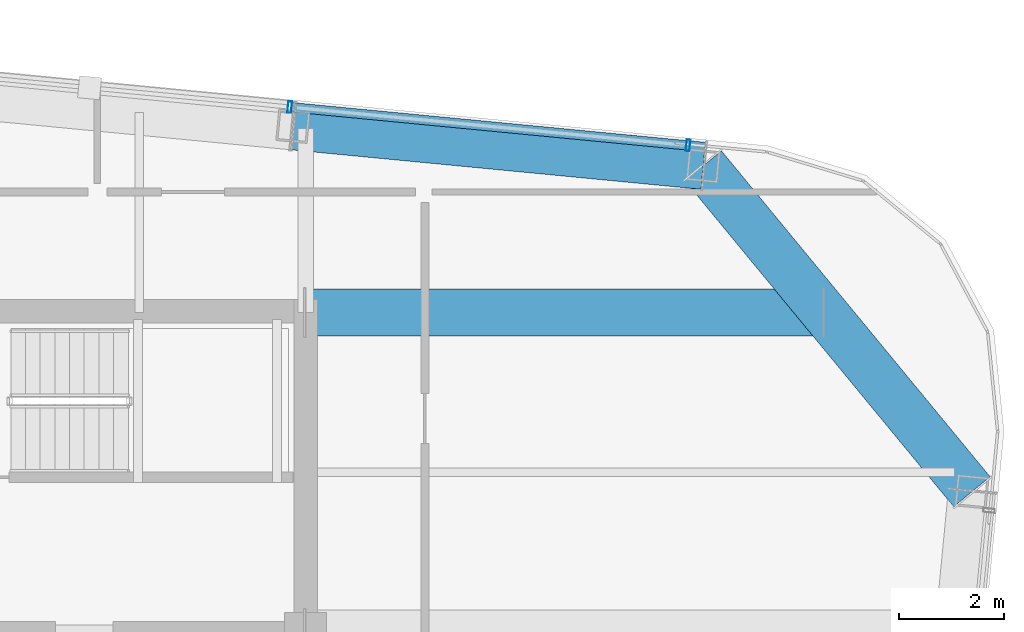
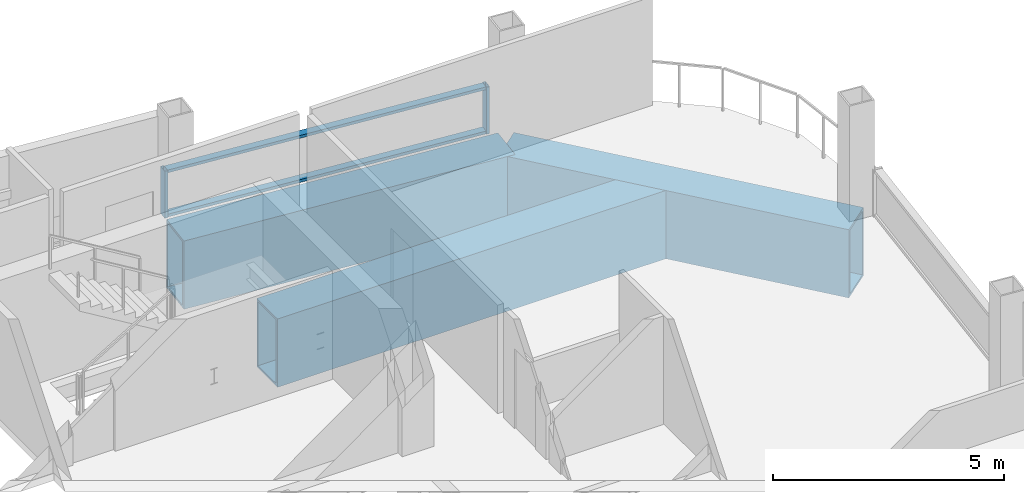
# One storey, part 14 of 21: 4 members, 3 beams, 1 element without a shape of its own.
"""IFC4 building model written with IfcOpenShell, lengths in metres."""

import ifcopenshell
import ifcopenshell.guid

model = None  # the IFC model being written
_history = None  # IfcOwnerHistory: only IFC2X3 demands one
_inside = {}  # id of a spatial element -> (the spatial element, [elements in it])
_under = {}  # id of a project, library or spatial element -> (it, [spatial elements below it])
_declared = {}  # id of a project -> (the project, [libraries it declares])
_typed = {}  # id of a type object -> (the type object, [elements of that type])
_made_of = {}  # id of a material, layer set ... -> (it, [elements and type objects made of it])


def new_model(schema):
    """Start an empty IFC model of exactly this schema.

    Asked for "IFC4X3", IfcOpenShell would pick the latest addendum, in which some entities
    have other attributes; the version numbers below select the first issue.
    IFC2X3 requires an IfcOwnerHistory on every rooted entity: one is made here for all.
    """
    global model, _history
    if schema == "IFC4X3":
        model = ifcopenshell.file(schema_version=(4, 3, 0, 0))
    else:
        model = ifcopenshell.file(schema=schema)
    _inside.clear()
    _under.clear()
    _declared.clear()
    _typed.clear()
    _made_of.clear()
    _history = None
    if model.schema == "IFC2X3":
        org = make("IfcOrganization", Name="unknown")
        user = make(
            "IfcPersonAndOrganization",
            ThePerson=make("IfcPerson", FamilyName="unknown"),
            TheOrganization=org,
        )
        app = make(
            "IfcApplication",
            ApplicationDeveloper=org,
            Version="unknown",
            ApplicationFullName="unknown",
            ApplicationIdentifier="unknown",
        )
        _history = make(
            "IfcOwnerHistory",
            OwningUser=user,
            OwningApplication=app,
            ChangeAction="ADDED",
            CreationDate=0,
        )
    return model


def make(cls, **values):
    """One entity of the class cls with the attributes given. An attribute that is None is left unset."""
    return model.create_entity(
        cls, **{name: value for name, value in values.items() if value is not None}
    )


def rooted(cls, **values):
    """An entity with a GlobalId (a new one), such as an element, a storey or a relation."""
    return make(cls, GlobalId=ifcopenshell.guid.new(), OwnerHistory=_history, **values)


def si_unit(unit_type, name, prefix=None):
    """IfcSIUnit, for example si_unit("LENGTHUNIT", "METRE", prefix="MILLI")."""
    return make("IfcSIUnit", UnitType=unit_type, Prefix=prefix, Name=name)


def assignment(units):
    """IfcUnitAssignment: the units of a project."""
    return None if units is None else make("IfcUnitAssignment", Units=units)


def point(xyz):
    """IfcCartesianPoint."""
    return None if xyz is None else make("IfcCartesianPoint", Coordinates=xyz)


def direction(xyz):
    """IfcDirection."""
    return None if xyz is None else make("IfcDirection", DirectionRatios=xyz)


def frame(location, z_axis=None, x_axis=None):
    """IfcAxis2Placement3D, a coordinate frame: its origin and axes. An axis left out is left unset."""
    return make(
        "IfcAxis2Placement3D",
        Location=point(location),
        Axis=direction(z_axis),
        RefDirection=direction(x_axis),
    )


def frame_2d(location, x_axis=None):
    """IfcAxis2Placement2D, a coordinate frame in the plane: its origin and x axis."""
    return make(
        "IfcAxis2Placement2D", Location=point(location), RefDirection=direction(x_axis)
    )


def origin():
    """The frame at (0, 0, 0) with its axes left unset."""
    return frame((0.0, 0.0, 0.0))


def origin_2d():
    """The frame at (0, 0) in the plane with its x axis left unset."""
    return frame_2d((0.0, 0.0))


def place(relative_to, where):
    """IfcLocalPlacement: puts the frame where relative to a parent placement (None: the world)."""
    return make(
        "IfcLocalPlacement", PlacementRelTo=relative_to, RelativePlacement=where
    )


def context(
    kind, dimensions, precision=None, world=None, true_north=None, identifier=None
):
    """IfcGeometricRepresentationContext, for example the 3D "Model" context."""
    return make(
        "IfcGeometricRepresentationContext",
        ContextIdentifier=identifier,
        ContextType=kind,
        CoordinateSpaceDimension=dimensions,
        Precision=precision,
        WorldCoordinateSystem=world,
        TrueNorth=true_north,
    )


def subcontext(parent, identifier, kind, view, scale=None):
    """IfcGeometricRepresentationSubContext, for example "Body" below "Model"."""
    return make(
        "IfcGeometricRepresentationSubContext",
        ContextIdentifier=identifier,
        ContextType=kind,
        ParentContext=parent,
        TargetScale=scale,
        TargetView=view,
    )


def project(units=None, contexts=None):
    """IfcProject with its units and contexts."""
    return rooted(
        "IfcProject",
        Name="project",
        RepresentationContexts=contexts,
        UnitsInContext=assignment(units),
    )


def spatial(cls, under=None, at=None, **own):
    """A site, building, storey or space (cls), placed at a placement, below another one or the project."""
    s = rooted(cls, ObjectPlacement=at, **own)
    if under is not None:
        _under.setdefault(under.id(), (under, []))[1].append(s)
    return s


def profile(cls, at=None, kind="AREA", **sizes):
    """A parametric profile (cls). Its sizes go by their IFC names, for example OverallWidth=200.0."""
    return make(cls, ProfileType=kind, Position=at, **sizes)


def hollow_rectangle(**sizes):
    """IfcRectangleHollowProfileDef."""
    return profile("IfcRectangleHollowProfileDef", **sizes)


def extrude(swept, where, along, depth):
    """IfcExtrudedAreaSolid: the profile swept, set in the frame where, extruded along a direction by depth."""
    return make(
        "IfcExtrudedAreaSolid",
        SweptArea=swept,
        Position=where,
        ExtrudedDirection=direction(along),
        Depth=depth,
    )


def shape(context_of_items, identifier, shape_type, items):
    """IfcShapeRepresentation: the items that make up one representation, for example the "Body"."""
    return make(
        "IfcShapeRepresentation",
        ContextOfItems=context_of_items,
        RepresentationIdentifier=identifier,
        RepresentationType=shape_type,
        Items=items,
    )


def material(Name=None, Category=None):
    """IfcMaterial."""
    return make("IfcMaterial", Name=Name, Category=Category)


def layer(
    of_material, thickness, ventilated=None, Name=None, Category=None, Priority=None
):
    """IfcMaterialLayer: one layer of a wall or slab, of a material (None: an air gap)."""
    return make(
        "IfcMaterialLayer",
        Material=of_material,
        LayerThickness=thickness,
        IsVentilated=ventilated,
        Name=Name,
        Category=Category,
        Priority=Priority,
    )


def layer_set(layers, Name=None):
    """IfcMaterialLayerSet."""
    return make("IfcMaterialLayerSet", MaterialLayers=layers, LayerSetName=Name)


def material_profile(
    of_material, cross_section, Name=None, Category=None, Priority=None
):
    """IfcMaterialProfile: a cross section and its material."""
    return make(
        "IfcMaterialProfile",
        Name=Name,
        Material=of_material,
        Profile=cross_section,
        Priority=Priority,
        Category=Category,
    )


def profile_set(profiles, Name=None, composite=None):
    """IfcMaterialProfileSet."""
    return make(
        "IfcMaterialProfileSet",
        Name=Name,
        MaterialProfiles=profiles,
        CompositeProfile=composite,
    )


def made_of(thing, what):
    """Note that an element or type object is made of a material, layer set ...; save() writes the relation."""
    if what is not None:
        _made_of.setdefault(what.id(), (what, []))[1].append(thing)
    return thing


def type_object(cls, material=None, **own):
    """A type object (cls), such as IfcWallType, which elements share."""
    return made_of(rooted(cls, **own), material)


def element(
    cls,
    number,
    at=None,
    inside=None,
    cuts=None,
    type_object=None,
    material=None,
    context=None,
    identifier="Body",
    shape_type=None,
    held_by="IfcProductDefinitionShape",
    body=None,
    shapes=None,
    **own,
):
    """One element of the class cls, such as IfcWall. Its Tag is "e" and its number.

    at: its placement. inside: the storey or other place that contains it. cuts: it is an
    opening in that element (IfcRelVoidsElement). A single representation is given by context,
    identifier, shape_type and body (its items); several are given by shapes. held_by: the class
    of the entity that holds the representations. save() writes the other relations.
    """
    e = rooted(cls, Tag="e%d" % number, ObjectPlacement=at, **own)
    if body is not None:
        shapes = [shape(context, identifier, shape_type, body)]
    if shapes is not None:
        e.Representation = make(held_by, Representations=shapes)
    if inside is not None:
        _inside.setdefault(inside.id(), (inside, []))[1].append(e)
    if cuts is not None:
        rooted(
            "IfcRelVoidsElement", RelatingBuildingElement=cuts, RelatedOpeningElement=e
        )
    if type_object is not None:
        _typed.setdefault(type_object.id(), (type_object, []))[1].append(e)
    return made_of(e, material)


def aggregate(whole, parts):
    """IfcRelAggregates: a whole, such as a stair, and the parts it consists of."""
    return rooted("IfcRelAggregates", RelatingObject=whole, RelatedObjects=parts)


def save(model, path):
    """Write the relations noted so far, then the file.

    IfcRelAggregates (storeys below a building ...), IfcRelContainedInSpatialStructure (elements
    in a storey), IfcRelDefinesByType, IfcRelAssociatesMaterial and IfcRelDeclares: one each for
    every whole, place, type object, material and project.
    """
    for whole, parts in _under.values():
        aggregate(whole, parts)
    for where, things in _inside.values():
        rooted(
            "IfcRelContainedInSpatialStructure",
            RelatedElements=things,
            RelatingStructure=where,
        )
    for kind, things in _typed.values():
        rooted("IfcRelDefinesByType", RelatedObjects=things, RelatingType=kind)
    for what, things in _made_of.values():
        rooted("IfcRelAssociatesMaterial", RelatedObjects=things, RelatingMaterial=what)
    for by, libraries in _declared.values():
        rooted("IfcRelDeclares", RelatingContext=by, RelatedDefinitions=libraries)
    model.write(path)


model = new_model("IFC4")

# Units and contexts
model_context = context("Model", 3, precision=1e-05, world=origin(), true_north=direction((0.0, 1.0)))
body_context = subcontext(model_context, "Body", "Model", "MODEL_VIEW")
ifc_project = project(units=[si_unit("LENGTHUNIT", "METRE"), si_unit("AREAUNIT", "SQUARE_METRE"), si_unit("VOLUMEUNIT", "CUBIC_METRE"), si_unit("PLANEANGLEUNIT", "RADIAN"), si_unit("MASSUNIT", "GRAM", prefix="KILO")], contexts=[model_context])

# Site, building, storey
site_placement = place(None, origin())
site = spatial("IfcSite", under=ifc_project, at=site_placement, CompositionType="ELEMENT")
building_placement = place(site_placement, origin())
building = spatial("IfcBuilding", under=site, at=building_placement, Name="Qhalaya Broadcast Tower", CompositionType="ELEMENT")
storey_placement = place(building_placement, frame((0.0, 0.0, 270.300048828125)))
storey = spatial("IfcBuildingStorey", under=building, at=storey_placement, Name="L80", CompositionType="ELEMENT", Elevation=270.300048828125)

# Beams
ifc_material_1 = material(Name="Structural Steel ASTM A572 Grade 50", Category="steel")
ifc_material_profile_1 = material_profile(ifc_material_1, hollow_rectangle(XDim=0.89990234375, YDim=1.800048828125, WallThickness=0.06005859375, at=origin_2d()), Name="BOX 900x1800x60")
ifc_profile_set_1 = profile_set([ifc_material_profile_1], Name="Structural Steel ASTM A572 Grade 50")
beam_type = type_object("IfcBeamType", Name="Block Cantilever Transfer Box Girder TG1", PredefinedType="USERDEFINED", material=ifc_profile_set_1)
beam_1_placement = place(storey_placement, frame((22.09033203125, 6.5283203125, -1.090087890625), z_axis=(-0.636070241972, 0.771631160126, 0.0), x_axis=(-0.771631160126, -0.636070241972, 0.0)))
element("IfcBeam", 1, at=beam_1_placement, inside=storey, type_object=beam_type, Name="L80 TG1 L80-SPR-08", ObjectType="GIRDER", PredefinedType="USERDEFINED", context=body_context, shape_type="SweptSolid", body=[
    extrude(hollow_rectangle(XDim=0.89990234375, YDim=1.800048828125, WallThickness=0.06005859375, at=origin_2d()), origin(), (0.0, 0.0, 1.0), 8.06103515625),
])
beam_2_placement = place(storey_placement, frame((16.962890625, 12.74853515625, -1.090087890625), z_axis=(-0.995397023367, 0.095837184179, 0.0), x_axis=(-0.095837184179, -0.995397023367, 0.0)))
element("IfcBeam", 2, at=beam_2_placement, inside=storey, type_object=beam_type, Name="L80 TG1 L80-SPR-09", ObjectType="GIRDER", PredefinedType="USERDEFINED", context=body_context, shape_type="SweptSolid", body=[
    extrude(hollow_rectangle(XDim=0.89990234375, YDim=1.800048828125, WallThickness=0.06005859375, at=origin_2d()), origin(), (0.0, 0.0, 1.0), 7.866455078125),
])
beam_3_placement = place(storey_placement, frame((9.375, 9.949951171875, -1.090087890625), z_axis=(1.0, 0.0, 0.0), x_axis=(0.0, 1.0, 0.0)))
element("IfcBeam", 3, at=beam_3_placement, inside=storey, type_object=beam_type, Name="L80 TG1 L80-PGYE4-1", ObjectType="GIRDER", PredefinedType="USERDEFINED", context=body_context, shape_type="SweptSolid", body=[
    extrude(hollow_rectangle(XDim=0.89990234375, YDim=1.800048828125, WallThickness=0.06005859375, at=origin_2d()), origin(), (0.0, 0.0, 1.0), 9.868896484375),
])

# Curtain wall, members
ifc_material_2 = material(Name="Fired Architectural Terracotta", Category="masonry")
ifc_layer = layer(ifc_material_2, 0.219970703125, Name="Fired Architectural Terracotta")
ifc_layer_set = layer_set([ifc_layer], Name="Fired Architectural Terracotta")
curtain_wall_type = type_object("IfcCurtainWallType", Name="Block-Cap Unitised Terracotta Spandrel Wall CW-07", PredefinedType="NOTDEFINED", material=ifc_layer_set)
curtain_wall_placement = place(storey_placement, origin())
curtain_wall = element("IfcCurtainWall", 4, at=curtain_wall_placement, inside=storey, type_object=curtain_wall_type, Name="L80 Unitised Curtain Wall L80-CW-N", PredefinedType="NOTDEFINED")
ifc_material_3 = material(Name="Anodised Aluminium 6063-T6", Category="aluminium")
ifc_material_profile_2 = material_profile(ifc_material_3, hollow_rectangle(XDim=0.074951171875, YDim=0.219970703125, WallThickness=0.00390625, at=origin_2d()), Name="ALU-MUL 75x220x4")
ifc_profile_set_2 = profile_set([ifc_material_profile_2], Name="Anodised Aluminium 6063-T6")
member_type_1 = type_object("IfcMemberType", Name="Unitised Curtain-Wall Mullion M01", PredefinedType="MULLION", material=ifc_profile_set_2)
member_1_placement = place(storey_placement, frame((9.071533203125, 13.8701171875, 0.0), z_axis=(0.0, 0.0, 1.0), x_axis=(0.995396001153, -0.095847800651, 0.0)))
member_1 = element("IfcMember", 5, at=member_1_placement, type_object=member_type_1, Name="CW-07 mullion 3", PredefinedType="MULLION", context=body_context, shape_type="SweptSolid", body=[
    extrude(hollow_rectangle(XDim=0.074951171875, YDim=0.219970703125, WallThickness=0.00390625, at=origin_2d()), origin(), (0.0, 0.0, 1.0), 1.239990234375),
])
member_2_placement = place(storey_placement, frame((16.673583984375, 13.137939453125, 0.0), z_axis=(0.0, 0.0, 1.0), x_axis=(0.995396001153, -0.095847800651, 0.0)))
member_2 = element("IfcMember", 6, at=member_2_placement, type_object=member_type_1, Name="CW-07 mullion 4", PredefinedType="MULLION", context=body_context, shape_type="SweptSolid", body=[
    extrude(hollow_rectangle(XDim=0.074951171875, YDim=0.219970703125, WallThickness=0.00390625, at=origin_2d()), origin(), (0.0, 0.0, 1.0), 1.239990234375),
])
ifc_material_profile_3 = material_profile(ifc_material_3, hollow_rectangle(XDim=0.074951171875, YDim=0.179931640625, WallThickness=0.00390625, at=origin_2d()), Name="ALU-TRN 75x180x4")
ifc_profile_set_3 = profile_set([ifc_material_profile_3], Name="Anodised Aluminium 6063-T6")
member_type_2 = type_object("IfcMemberType", Name="Unitised Curtain-Wall Transom T01", PredefinedType="USERDEFINED", material=ifc_profile_set_3)
member_3_placement = place(storey_placement, frame((9.10888671875, 13.866455078125, 0.037353515625), z_axis=(0.995395532841, -0.095852664018, 0.0), x_axis=(0.0, 0.0, 1.0)))
member_3 = element("IfcMember", 7, at=member_3_placement, type_object=member_type_2, Name="CW-07 transom 3.1", ObjectType="TRANSOM", PredefinedType="USERDEFINED", context=body_context, shape_type="SweptSolid", body=[
    extrude(hollow_rectangle(XDim=0.074951171875, YDim=0.179931640625, WallThickness=0.00390625, at=origin_2d()), origin(), (0.0, 0.0, 1.0), 7.562255859375),
])
member_4_placement = place(storey_placement, frame((9.10888671875, 13.866455078125, 1.202392578125), z_axis=(0.995395532841, -0.095852664018, 0.0), x_axis=(0.0, 0.0, 1.0)))
member_4 = element("IfcMember", 8, at=member_4_placement, type_object=member_type_2, Name="CW-07 transom 3.2", ObjectType="TRANSOM", PredefinedType="USERDEFINED", context=body_context, shape_type="SweptSolid", body=[
    extrude(hollow_rectangle(XDim=0.074951171875, YDim=0.179931640625, WallThickness=0.00390625, at=origin_2d()), origin(), (0.0, 0.0, 1.0), 7.562255859375),
])
aggregate(curtain_wall, [member_1, member_2, member_3, member_4])

save(model, "model.ifc")
